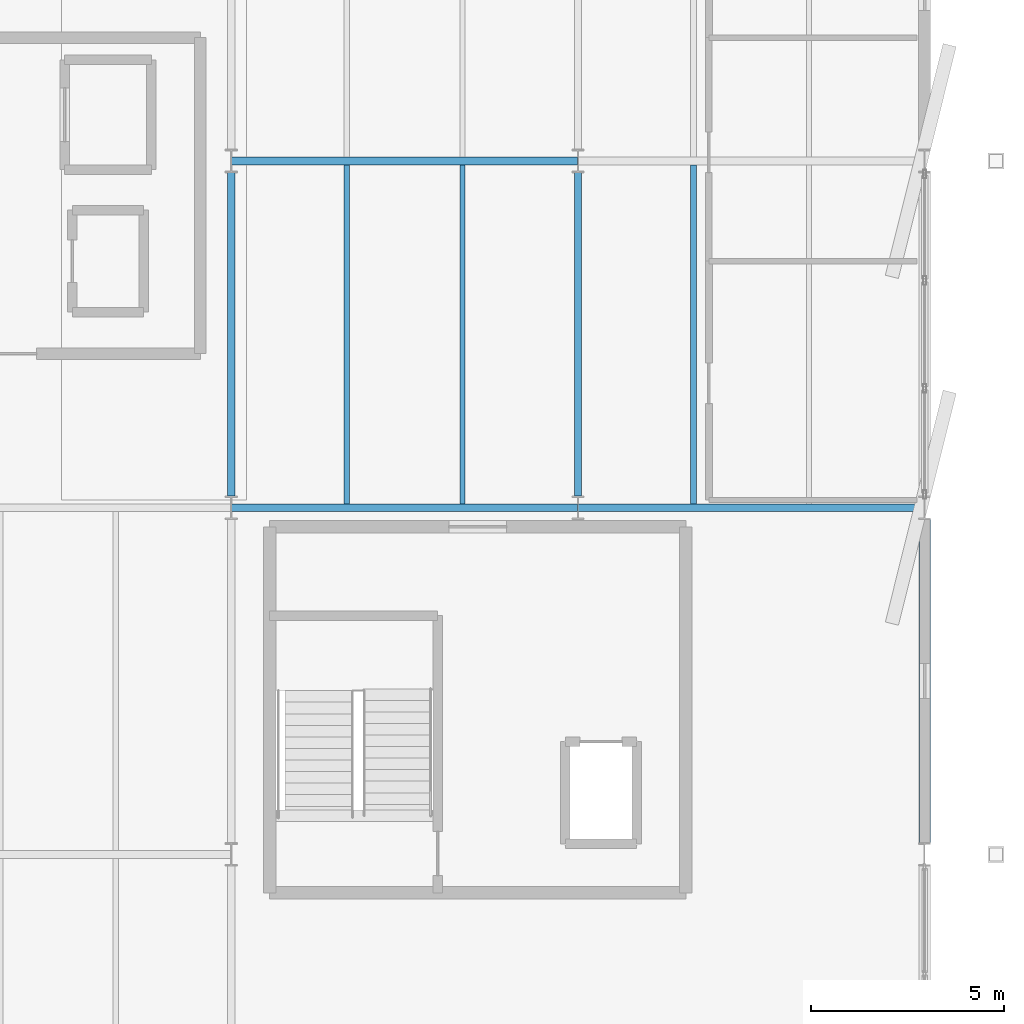
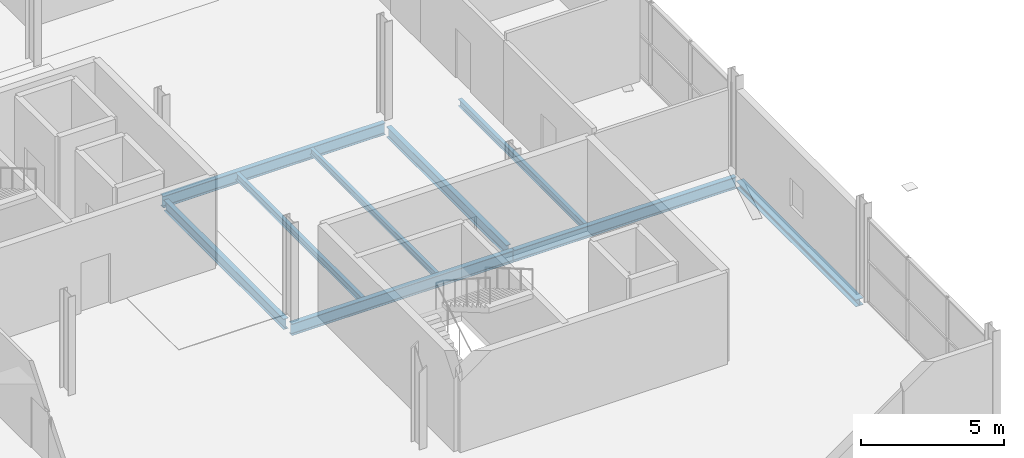
# One storey, part 85 of 132: 9 beams.
"""IFC4 building model written with IfcOpenShell, lengths in metres."""

import ifcopenshell
import ifcopenshell.guid

model = None  # the IFC model being written
_history = None  # IfcOwnerHistory: only IFC2X3 demands one
_inside = {}  # id of a spatial element -> (the spatial element, [elements in it])
_under = {}  # id of a project, library or spatial element -> (it, [spatial elements below it])
_declared = {}  # id of a project -> (the project, [libraries it declares])
_typed = {}  # id of a type object -> (the type object, [elements of that type])
_made_of = {}  # id of a material, layer set ... -> (it, [elements and type objects made of it])


def new_model(schema):
    """Start an empty IFC model of exactly this schema.

    Asked for "IFC4X3", IfcOpenShell would pick the latest addendum, in which some entities
    have other attributes; the version numbers below select the first issue.
    IFC2X3 requires an IfcOwnerHistory on every rooted entity: one is made here for all.
    """
    global model, _history
    if schema == "IFC4X3":
        model = ifcopenshell.file(schema_version=(4, 3, 0, 0))
    else:
        model = ifcopenshell.file(schema=schema)
    _inside.clear()
    _under.clear()
    _declared.clear()
    _typed.clear()
    _made_of.clear()
    _history = None
    if model.schema == "IFC2X3":
        org = make("IfcOrganization", Name="unknown")
        user = make(
            "IfcPersonAndOrganization",
            ThePerson=make("IfcPerson", FamilyName="unknown"),
            TheOrganization=org,
        )
        app = make(
            "IfcApplication",
            ApplicationDeveloper=org,
            Version="unknown",
            ApplicationFullName="unknown",
            ApplicationIdentifier="unknown",
        )
        _history = make(
            "IfcOwnerHistory",
            OwningUser=user,
            OwningApplication=app,
            ChangeAction="ADDED",
            CreationDate=0,
        )
    return model


def make(cls, **values):
    """One entity of the class cls with the attributes given. An attribute that is None is left unset."""
    return model.create_entity(
        cls, **{name: value for name, value in values.items() if value is not None}
    )


def rooted(cls, **values):
    """An entity with a GlobalId (a new one), such as an element, a storey or a relation."""
    return make(cls, GlobalId=ifcopenshell.guid.new(), OwnerHistory=_history, **values)


def si_unit(unit_type, name, prefix=None):
    """IfcSIUnit, for example si_unit("LENGTHUNIT", "METRE", prefix="MILLI")."""
    return make("IfcSIUnit", UnitType=unit_type, Prefix=prefix, Name=name)


def assignment(units):
    """IfcUnitAssignment: the units of a project."""
    return None if units is None else make("IfcUnitAssignment", Units=units)


def point(xyz):
    """IfcCartesianPoint."""
    return None if xyz is None else make("IfcCartesianPoint", Coordinates=xyz)


def direction(xyz):
    """IfcDirection."""
    return None if xyz is None else make("IfcDirection", DirectionRatios=xyz)


def frame(location, z_axis=None, x_axis=None):
    """IfcAxis2Placement3D, a coordinate frame: its origin and axes. An axis left out is left unset."""
    return make(
        "IfcAxis2Placement3D",
        Location=point(location),
        Axis=direction(z_axis),
        RefDirection=direction(x_axis),
    )


def frame_2d(location, x_axis=None):
    """IfcAxis2Placement2D, a coordinate frame in the plane: its origin and x axis."""
    return make(
        "IfcAxis2Placement2D", Location=point(location), RefDirection=direction(x_axis)
    )


def origin():
    """The frame at (0, 0, 0) with its axes left unset."""
    return frame((0.0, 0.0, 0.0))


def origin_2d():
    """The frame at (0, 0) in the plane with its x axis left unset."""
    return frame_2d((0.0, 0.0))


def place(relative_to, where):
    """IfcLocalPlacement: puts the frame where relative to a parent placement (None: the world)."""
    return make(
        "IfcLocalPlacement", PlacementRelTo=relative_to, RelativePlacement=where
    )


def context(
    kind, dimensions, precision=None, world=None, true_north=None, identifier=None
):
    """IfcGeometricRepresentationContext, for example the 3D "Model" context."""
    return make(
        "IfcGeometricRepresentationContext",
        ContextIdentifier=identifier,
        ContextType=kind,
        CoordinateSpaceDimension=dimensions,
        Precision=precision,
        WorldCoordinateSystem=world,
        TrueNorth=true_north,
    )


def subcontext(parent, identifier, kind, view, scale=None):
    """IfcGeometricRepresentationSubContext, for example "Body" below "Model"."""
    return make(
        "IfcGeometricRepresentationSubContext",
        ContextIdentifier=identifier,
        ContextType=kind,
        ParentContext=parent,
        TargetScale=scale,
        TargetView=view,
    )


def project(units=None, contexts=None):
    """IfcProject with its units and contexts."""
    return rooted(
        "IfcProject",
        Name="project",
        RepresentationContexts=contexts,
        UnitsInContext=assignment(units),
    )


def spatial(cls, under=None, at=None, **own):
    """A site, building, storey or space (cls), placed at a placement, below another one or the project."""
    s = rooted(cls, ObjectPlacement=at, **own)
    if under is not None:
        _under.setdefault(under.id(), (under, []))[1].append(s)
    return s


def profile(cls, at=None, kind="AREA", **sizes):
    """A parametric profile (cls). Its sizes go by their IFC names, for example OverallWidth=200.0."""
    return make(cls, ProfileType=kind, Position=at, **sizes)


def i_section(**sizes):
    """IfcIShapeProfileDef."""
    return profile("IfcIShapeProfileDef", **sizes)


def extrude(swept, where, along, depth):
    """IfcExtrudedAreaSolid: the profile swept, set in the frame where, extruded along a direction by depth."""
    return make(
        "IfcExtrudedAreaSolid",
        SweptArea=swept,
        Position=where,
        ExtrudedDirection=direction(along),
        Depth=depth,
    )


def shape(context_of_items, identifier, shape_type, items):
    """IfcShapeRepresentation: the items that make up one representation, for example the "Body"."""
    return make(
        "IfcShapeRepresentation",
        ContextOfItems=context_of_items,
        RepresentationIdentifier=identifier,
        RepresentationType=shape_type,
        Items=items,
    )


def material(Name=None, Category=None):
    """IfcMaterial."""
    return make("IfcMaterial", Name=Name, Category=Category)


def material_profile(
    of_material, cross_section, Name=None, Category=None, Priority=None
):
    """IfcMaterialProfile: a cross section and its material."""
    return make(
        "IfcMaterialProfile",
        Name=Name,
        Material=of_material,
        Profile=cross_section,
        Priority=Priority,
        Category=Category,
    )


def profile_set(profiles, Name=None, composite=None):
    """IfcMaterialProfileSet."""
    return make(
        "IfcMaterialProfileSet",
        Name=Name,
        MaterialProfiles=profiles,
        CompositeProfile=composite,
    )


def made_of(thing, what):
    """Note that an element or type object is made of a material, layer set ...; save() writes the relation."""
    if what is not None:
        _made_of.setdefault(what.id(), (what, []))[1].append(thing)
    return thing


def type_object(cls, material=None, **own):
    """A type object (cls), such as IfcWallType, which elements share."""
    return made_of(rooted(cls, **own), material)


def element(
    cls,
    number,
    at=None,
    inside=None,
    cuts=None,
    type_object=None,
    material=None,
    context=None,
    identifier="Body",
    shape_type=None,
    held_by="IfcProductDefinitionShape",
    body=None,
    shapes=None,
    **own,
):
    """One element of the class cls, such as IfcWall. Its Tag is "e" and its number.

    at: its placement. inside: the storey or other place that contains it. cuts: it is an
    opening in that element (IfcRelVoidsElement). A single representation is given by context,
    identifier, shape_type and body (its items); several are given by shapes. held_by: the class
    of the entity that holds the representations. save() writes the other relations.
    """
    e = rooted(cls, Tag="e%d" % number, ObjectPlacement=at, **own)
    if body is not None:
        shapes = [shape(context, identifier, shape_type, body)]
    if shapes is not None:
        e.Representation = make(held_by, Representations=shapes)
    if inside is not None:
        _inside.setdefault(inside.id(), (inside, []))[1].append(e)
    if cuts is not None:
        rooted(
            "IfcRelVoidsElement", RelatingBuildingElement=cuts, RelatedOpeningElement=e
        )
    if type_object is not None:
        _typed.setdefault(type_object.id(), (type_object, []))[1].append(e)
    return made_of(e, material)


def aggregate(whole, parts):
    """IfcRelAggregates: a whole, such as a stair, and the parts it consists of."""
    return rooted("IfcRelAggregates", RelatingObject=whole, RelatedObjects=parts)


def save(model, path):
    """Write the relations noted so far, then the file.

    IfcRelAggregates (storeys below a building ...), IfcRelContainedInSpatialStructure (elements
    in a storey), IfcRelDefinesByType, IfcRelAssociatesMaterial and IfcRelDeclares: one each for
    every whole, place, type object, material and project.
    """
    for whole, parts in _under.values():
        aggregate(whole, parts)
    for where, things in _inside.values():
        rooted(
            "IfcRelContainedInSpatialStructure",
            RelatedElements=things,
            RelatingStructure=where,
        )
    for kind, things in _typed.values():
        rooted("IfcRelDefinesByType", RelatedObjects=things, RelatingType=kind)
    for what, things in _made_of.values():
        rooted("IfcRelAssociatesMaterial", RelatedObjects=things, RelatingMaterial=what)
    for by, libraries in _declared.values():
        rooted("IfcRelDeclares", RelatingContext=by, RelatedDefinitions=libraries)
    model.write(path)


model = new_model("IFC4")

# Units and contexts
model_context = context("Model", 3, precision=1e-05, world=origin(), true_north=direction((0.0, 1.0)))
body_context = subcontext(model_context, "Body", "Model", "MODEL_VIEW")
ifc_project = project(units=[si_unit("LENGTHUNIT", "METRE"), si_unit("AREAUNIT", "SQUARE_METRE"), si_unit("VOLUMEUNIT", "CUBIC_METRE"), si_unit("PLANEANGLEUNIT", "RADIAN"), si_unit("MASSUNIT", "GRAM", prefix="KILO")], contexts=[model_context])

# Site, building, storey
site_placement = place(None, origin())
site = spatial("IfcSite", under=ifc_project, at=site_placement, CompositionType="ELEMENT")
building_placement = place(site_placement, origin())
building = spatial("IfcBuilding", under=site, at=building_placement, Name="Deido Ridge Mobility Hub", CompositionType="ELEMENT")
storey_placement = place(building_placement, frame((0.0, 0.0, 8.39990234375)))
storey = spatial("IfcBuildingStorey", under=building, at=storey_placement, Name="L02", CompositionType="ELEMENT", Elevation=8.39990234375)

# Beams
ifc_material = material(Name="Steel S355J2 EN 10025-2", Category="steel")
ifc_material_profile_1 = material_profile(ifc_material, i_section(OverallWidth=0.18994140625, OverallDepth=0.449951171875, WebThickness=0.009521484375, FlangeThickness=0.0146484375, FilletRadius=0.02099609375, at=origin_2d()), Name="IPE 450")
ifc_profile_set_1 = profile_set([ifc_material_profile_1], Name="Steel S355J2 EN 10025-2")
beam_type_1 = type_object("IfcBeamType", Name="BM-IPE450", PredefinedType="BEAM", material=ifc_profile_set_1)
for number, where, z_axis, x_axis, name in (
    (1, (162.0, 18.300048828125, -0.47998046875), (0.0, 1.0, 0.0), (-1.0, 0.0, 0.0), "Floor beam B4"),
    (2, (171.0, 18.300048828125, -0.47998046875), (0.0, 1.0, 0.0), (-1.0, 0.0, 0.0), "Floor beam B4"),
):
    element("IfcBeam", number, at=place(storey_placement, frame(where, z_axis=z_axis, x_axis=x_axis)), inside=storey, type_object=beam_type_1, Name=name, PredefinedType="BEAM", context=body_context, shape_type="SweptSolid", body=[
        extrude(i_section(OverallWidth=0.18994140625, OverallDepth=0.449951171875, WebThickness=0.009521484375, FlangeThickness=0.0146484375, FilletRadius=0.02099609375, at=origin_2d()), origin(), (0.0, 0.0, 1.0), 8.39990234375),
    ])
ifc_material_profile_2 = material_profile(ifc_material, i_section(OverallWidth=0.199951171875, OverallDepth=0.5, WebThickness=0.01025390625, FlangeThickness=0.01611328125, FilletRadius=0.02099609375, at=origin_2d()), Name="IPE 500")
ifc_profile_set_2 = profile_set([ifc_material_profile_2], Name="Steel S355J2 EN 10025-2")
beam_type_2 = type_object("IfcBeamType", Name="BM-IPE500", PredefinedType="BEAM", material=ifc_profile_set_2)
for number, where, z_axis, x_axis, name in (
    (3, (162.0078125, 18.0, -0.5048828125), (1.0, 0.0, 0.0), (0.0, 1.0, 0.0), "Floor beam B3"),
    (4, (171.0078125, 18.0, -0.5048828125), (1.0, 0.0, 0.0), (0.0, 1.0, 0.0), "Floor beam B3"),
    (5, (162.0078125, 27.0, -0.5048828125), (1.0, 0.0, 0.0), (0.0, 1.0, 0.0), "Floor beam B3"),
):
    element("IfcBeam", number, at=place(storey_placement, frame(where, z_axis=z_axis, x_axis=x_axis)), inside=storey, type_object=beam_type_2, Name=name, PredefinedType="BEAM", context=body_context, shape_type="SweptSolid", body=[
        extrude(i_section(OverallWidth=0.199951171875, OverallDepth=0.5, WebThickness=0.01025390625, FlangeThickness=0.01611328125, FilletRadius=0.02099609375, at=origin_2d()), origin(), (0.0, 0.0, 1.0), 8.984375),
    ])
ifc_material_profile_3 = material_profile(ifc_material, i_section(OverallWidth=0.135009765625, OverallDepth=0.27001953125, WebThickness=0.006591796875, FlangeThickness=0.01025390625, FilletRadius=0.014892578125, at=origin_2d()), Name="IPE 270")
ifc_profile_set_3 = profile_set([ifc_material_profile_3], Name="Steel S355J2 EN 10025-2")
beam_type_3 = type_object("IfcBeamType", Name="JST-IPE270", PredefinedType="JOIST", material=ifc_profile_set_3)
beam_1_placement = place(storey_placement, frame((168.0, 18.10009765625, -0.389892578125), z_axis=(0.0, 1.0, 0.0), x_axis=(-1.0, 0.0, 0.0)))
element("IfcBeam", 6, at=beam_1_placement, inside=storey, type_object=beam_type_3, Name="Composite joist J4", PredefinedType="JOIST", context=body_context, shape_type="SweptSolid", body=[
    extrude(i_section(OverallWidth=0.135009765625, OverallDepth=0.27001953125, WebThickness=0.006591796875, FlangeThickness=0.01025390625, FilletRadius=0.014892578125, at=origin_2d()), origin(), (0.0, 0.0, 1.0), 8.7998046875),
])
ifc_material_profile_4 = material_profile(ifc_material, i_section(OverallWidth=0.14990234375, OverallDepth=0.300048828125, WebThickness=0.007080078125, FlangeThickness=0.0107421875, FilletRadius=0.014892578125, at=origin_2d()), Name="IPE 300")
ifc_profile_set_4 = profile_set([ifc_material_profile_4], Name="Steel S355J2 EN 10025-2")
beam_type_4 = type_object("IfcBeamType", Name="JST-IPE300", PredefinedType="JOIST", material=ifc_profile_set_4)
for number, where, z_axis, x_axis, name in (
    (7, (165.0, 18.10009765625, -0.40478515625), (0.0, 1.0, 0.0), (-1.0, 0.0, 0.0), "Composite joist J3"),
    (8, (174.0, 18.10009765625, -0.40478515625), (0.0, 1.0, 0.0), (-1.0, 0.0, 0.0), "Composite joist J3"),
):
    element("IfcBeam", number, at=place(storey_placement, frame(where, z_axis=z_axis, x_axis=x_axis)), inside=storey, type_object=beam_type_4, Name=name, PredefinedType="JOIST", context=body_context, shape_type="SweptSolid", body=[
        extrude(i_section(OverallWidth=0.14990234375, OverallDepth=0.300048828125, WebThickness=0.007080078125, FlangeThickness=0.0107421875, FilletRadius=0.014892578125, at=origin_2d()), origin(), (0.0, 0.0, 1.0), 8.7998046875),
    ])
ifc_material_profile_5 = material_profile(ifc_material, i_section(OverallWidth=0.300048828125, OverallDepth=0.300048828125, WebThickness=0.010986328125, FlangeThickness=0.01904296875, FilletRadius=0.027099609375, at=origin_2d()), Name="HEB 300")
ifc_profile_set_5 = profile_set([ifc_material_profile_5], Name="Steel S355J2 EN 10025-2")
beam_type_5 = type_object("IfcBeamType", Name="SPD-HEB300", PredefinedType="SPANDREL", material=ifc_profile_set_5)
beam_2_placement = place(storey_placement, frame((180.0, 9.300048828125, -0.40478515625), z_axis=(0.0, 1.0, 0.0), x_axis=(-1.0, 0.0, 0.0)))
element("IfcBeam", 9, at=beam_2_placement, inside=storey, type_object=beam_type_5, Name="Floor beam SP1", PredefinedType="SPANDREL", context=body_context, shape_type="SweptSolid", body=[
    extrude(i_section(OverallWidth=0.300048828125, OverallDepth=0.300048828125, WebThickness=0.010986328125, FlangeThickness=0.01904296875, FilletRadius=0.027099609375, at=origin_2d()), origin(), (0.0, 0.0, 1.0), 8.39990234375),
])

save(model, "model.ifc")
